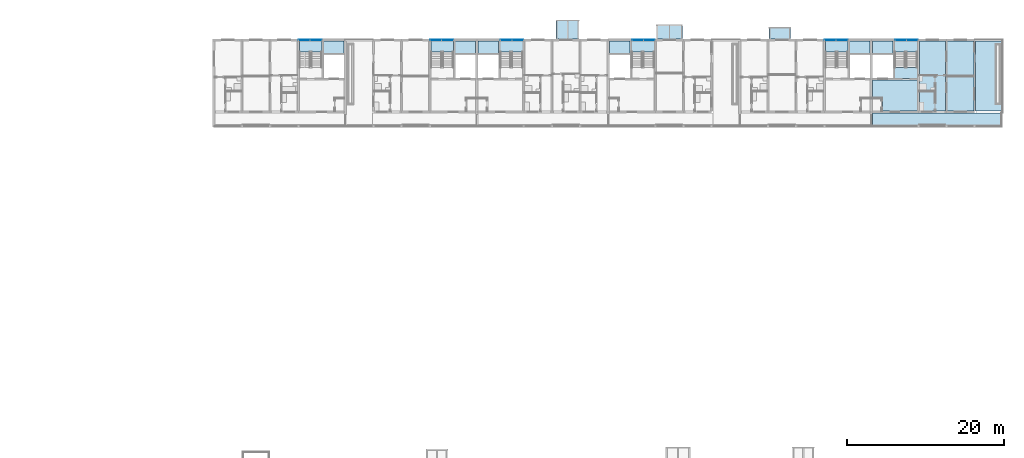
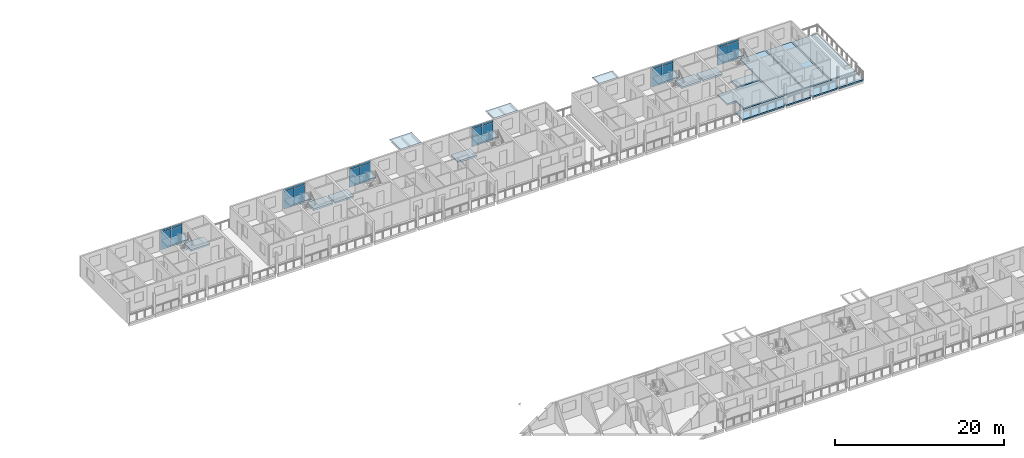
# One storey, part 28 of 94: 24 plates, 21 slabs, 12 elements without a shape of their own.
"""IFC4 building model written with IfcOpenShell, lengths in metres."""

from ifc_helpers import new_model, si_unit, direction, frame, origin, origin_2d, place, context, subcontext, project, spatial, polyline, rectangle, outline, extrude, material, layer, layer_set, type_object, element, aggregate, save


model = new_model("IFC4")

# Units and contexts
model_context = context("Model", 3, precision=1e-05, world=origin(), true_north=direction((0.0, 1.0)))
body_context = subcontext(model_context, "Body", "Model", "MODEL_VIEW")
ifc_project = project(units=[si_unit("LENGTHUNIT", "METRE"), si_unit("AREAUNIT", "SQUARE_METRE"), si_unit("VOLUMEUNIT", "CUBIC_METRE"), si_unit("PLANEANGLEUNIT", "RADIAN"), si_unit("MASSUNIT", "GRAM", prefix="KILO")], contexts=[model_context])

# Site, building, storey
site_placement = place(None, origin())
site = spatial("IfcSite", under=ifc_project, at=site_placement, CompositionType="ELEMENT")
building_placement = place(site_placement, origin())
building = spatial("IfcBuilding", under=site, at=building_placement, Name="Ridgestep Commons", CompositionType="ELEMENT")
storey_placement = place(building_placement, frame((0.0, 0.0, 21.0)))
storey = spatial("IfcBuildingStorey", under=building, at=storey_placement, Name="L07", CompositionType="ELEMENT", Elevation=21.0)

# Slab
ifc_material_1 = material(Name="Precast concrete C40/50", Category="concrete")
ifc_layer_1 = layer(ifc_material_1, 0.199951171875)
ifc_layer_set_1 = layer_set([ifc_layer_1], Name="Gallery slab 200")
slab_type_1 = type_object("IfcSlabType", Name="Gallery slab 200", PredefinedType="FLOOR", material=ifc_layer_set_1)
slab_1_placement = place(storey_placement, frame((0.0, 0.0, -0.199951171875)))
element("IfcSlab", 1, at=slab_1_placement, inside=storey, type_object=slab_type_1, Name="Gallery slab C6 L07", PredefinedType="FLOOR", context=body_context, shape_type="SweptSolid", body=[
    extrude(outline(polyline([(247.449951171875, 67.800048828125), (230.949951171875, 67.800048828125), (230.949951171875, 66.0), (236.675048828125, 66.0), (236.675048828125, 66.25), (236.925048828125, 66.25), (236.925048828125, 66.0), (240.27490234375, 66.0), (240.27490234375, 66.25), (240.52490234375, 66.25), (240.52490234375, 66.0), (243.875, 66.0), (243.875, 66.25), (244.125, 66.25), (244.125, 66.0), (247.449951171875, 66.0), (247.449951171875, 67.800048828125)])), origin(), (0.0, 0.0, 1.0), 0.199951171875),
])

# Curtain wall, plates
ifc_material_2 = material(Name="Aluminium 6063-T6 and glass", Category="aluminium")
curtain_wall_type = type_object("IfcCurtainWallType", Name="Curtain wall stair strip", PredefinedType="NOTDEFINED", material=ifc_material_2)
curtain_wall_1_placement = place(storey_placement, origin())
curtain_wall_1 = element("IfcCurtainWall", 2, at=curtain_wall_1_placement, inside=storey, type_object=curtain_wall_type, Name="Curtain wall C1C level 07", PredefinedType="NOTDEFINED")
ifc_material_3 = material(Name="Glass laminated 6/16/6 low-emissivity", Category="glass")
ifc_layer_2 = layer(ifc_material_3, 0.028076171875)
ifc_layer_set_2 = layer_set([ifc_layer_2], Name="Glazing panel 28")
plate_type_1 = type_object("IfcPlateType", Name="Glazing panel 28", PredefinedType="CURTAIN_PANEL", material=ifc_layer_set_2)
plate_1_placement = place(storey_placement, frame((158.371337890625, 77.080078125, 0.06005859375), z_axis=(0.0, 0.0, 1.0), x_axis=(1.0, 0.0, 0.0)))
plate_1 = element("IfcPlate", 3, at=plate_1_placement, type_object=plate_type_1, Name="CW1 panel 1.1", PredefinedType="CURTAIN_PANEL", context=body_context, shape_type="SweptSolid", body=[
    extrude(rectangle(XDim=1.422607421875, YDim=0.028076171875, at=origin_2d()), origin(), (0.0, 0.0, 1.0), 2.5),
])
plate_2_placement = place(storey_placement, frame((159.853759765625, 77.080078125, 0.06005859375), z_axis=(0.0, 0.0, 1.0), x_axis=(1.0, 0.0, 0.0)))
plate_2 = element("IfcPlate", 4, at=plate_2_placement, type_object=plate_type_1, Name="CW1 panel 2.1", PredefinedType="CURTAIN_PANEL", context=body_context, shape_type="SweptSolid", body=[
    extrude(rectangle(XDim=1.422607421875, YDim=0.028076171875, at=origin_2d()), origin(), (0.0, 0.0, 1.0), 2.5),
])

curtain_wall_2_placement = place(storey_placement, origin())
curtain_wall_2 = element("IfcCurtainWall", 5, at=curtain_wall_2_placement, inside=storey, type_object=curtain_wall_type, Name="Curtain wall C2C level 07", PredefinedType="NOTDEFINED")
plate_3_placement = place(storey_placement, frame((175.171142578125, 77.080078125, 0.06005859375), z_axis=(0.0, 0.0, 1.0), x_axis=(1.0, 0.0, 0.0)))
plate_3 = element("IfcPlate", 6, at=plate_3_placement, type_object=plate_type_1, Name="CW1 panel 1.1", PredefinedType="CURTAIN_PANEL", context=body_context, shape_type="SweptSolid", body=[
    extrude(rectangle(XDim=1.422607421875, YDim=0.028076171875, at=origin_2d()), origin(), (0.0, 0.0, 1.0), 2.5),
])
plate_4_placement = place(storey_placement, frame((176.65380859375, 77.080078125, 0.06005859375), z_axis=(0.0, 0.0, 1.0), x_axis=(1.0, 0.0, 0.0)))
plate_4 = element("IfcPlate", 7, at=plate_4_placement, type_object=plate_type_1, Name="CW1 panel 2.1", PredefinedType="CURTAIN_PANEL", context=body_context, shape_type="SweptSolid", body=[
    extrude(rectangle(XDim=1.422607421875, YDim=0.028076171875, at=origin_2d()), origin(), (0.0, 0.0, 1.0), 2.5),
])

curtain_wall_3_placement = place(storey_placement, origin())
curtain_wall_3 = element("IfcCurtainWall", 8, at=curtain_wall_3_placement, inside=storey, type_object=curtain_wall_type, Name="Curtain wall C3C level 07", PredefinedType="NOTDEFINED")
plate_5_placement = place(storey_placement, frame((184.146240234375, 77.080078125, 0.06005859375), z_axis=(0.0, 0.0, 1.0), x_axis=(1.0, 0.0, 0.0)))
plate_5 = element("IfcPlate", 9, at=plate_5_placement, type_object=plate_type_1, Name="CW1 panel 1.1", PredefinedType="CURTAIN_PANEL", context=body_context, shape_type="SweptSolid", body=[
    extrude(rectangle(XDim=1.422607421875, YDim=0.028076171875, at=origin_2d()), origin(), (0.0, 0.0, 1.0), 2.5),
])
plate_6_placement = place(storey_placement, frame((185.628662109375, 77.080078125, 0.06005859375), z_axis=(0.0, 0.0, 1.0), x_axis=(1.0, 0.0, 0.0)))
plate_6 = element("IfcPlate", 10, at=plate_6_placement, type_object=plate_type_1, Name="CW1 panel 2.1", PredefinedType="CURTAIN_PANEL", context=body_context, shape_type="SweptSolid", body=[
    extrude(rectangle(XDim=1.422607421875, YDim=0.028076171875, at=origin_2d()), origin(), (0.0, 0.0, 1.0), 2.5),
])

curtain_wall_4_placement = place(storey_placement, origin())
curtain_wall_4 = element("IfcCurtainWall", 11, at=curtain_wall_4_placement, inside=storey, type_object=curtain_wall_type, Name="Curtain wall C4C level 07", PredefinedType="NOTDEFINED")
plate_7_placement = place(storey_placement, frame((200.9462890625, 77.080078125, 0.06005859375), z_axis=(0.0, 0.0, 1.0), x_axis=(1.0, 0.0, 0.0)))
plate_7 = element("IfcPlate", 12, at=plate_7_placement, type_object=plate_type_1, Name="CW1 panel 1.1", PredefinedType="CURTAIN_PANEL", context=body_context, shape_type="SweptSolid", body=[
    extrude(rectangle(XDim=1.422607421875, YDim=0.028076171875, at=origin_2d()), origin(), (0.0, 0.0, 1.0), 2.5),
])
plate_8_placement = place(storey_placement, frame((202.4287109375, 77.080078125, 0.06005859375), z_axis=(0.0, 0.0, 1.0), x_axis=(1.0, 0.0, 0.0)))
plate_8 = element("IfcPlate", 13, at=plate_8_placement, type_object=plate_type_1, Name="CW1 panel 2.1", PredefinedType="CURTAIN_PANEL", context=body_context, shape_type="SweptSolid", body=[
    extrude(rectangle(XDim=1.422607421875, YDim=0.028076171875, at=origin_2d()), origin(), (0.0, 0.0, 1.0), 2.5),
])

curtain_wall_5_placement = place(storey_placement, origin())
curtain_wall_5 = element("IfcCurtainWall", 14, at=curtain_wall_5_placement, inside=storey, type_object=curtain_wall_type, Name="Curtain wall C5C level 07", PredefinedType="NOTDEFINED")
plate_9_placement = place(storey_placement, frame((225.5712890625, 77.080078125, 0.06005859375), z_axis=(0.0, 0.0, 1.0), x_axis=(1.0, 0.0, 0.0)))
plate_9 = element("IfcPlate", 15, at=plate_9_placement, type_object=plate_type_1, Name="CW1 panel 1.1", PredefinedType="CURTAIN_PANEL", context=body_context, shape_type="SweptSolid", body=[
    extrude(rectangle(XDim=1.422607421875, YDim=0.028076171875, at=origin_2d()), origin(), (0.0, 0.0, 1.0), 2.5),
])
plate_10_placement = place(storey_placement, frame((227.0537109375, 77.080078125, 0.06005859375), z_axis=(0.0, 0.0, 1.0), x_axis=(1.0, 0.0, 0.0)))
plate_10 = element("IfcPlate", 16, at=plate_10_placement, type_object=plate_type_1, Name="CW1 panel 2.1", PredefinedType="CURTAIN_PANEL", context=body_context, shape_type="SweptSolid", body=[
    extrude(rectangle(XDim=1.422607421875, YDim=0.028076171875, at=origin_2d()), origin(), (0.0, 0.0, 1.0), 2.5),
])

curtain_wall_6_placement = place(storey_placement, origin())
curtain_wall_6 = element("IfcCurtainWall", 17, at=curtain_wall_6_placement, inside=storey, type_object=curtain_wall_type, Name="Curtain wall C6C level 07", PredefinedType="NOTDEFINED")
plate_11_placement = place(storey_placement, frame((234.546142578125, 77.080078125, 0.06005859375), z_axis=(0.0, 0.0, 1.0), x_axis=(1.0, 0.0, 0.0)))
plate_11 = element("IfcPlate", 18, at=plate_11_placement, type_object=plate_type_1, Name="CW1 panel 1.1", PredefinedType="CURTAIN_PANEL", context=body_context, shape_type="SweptSolid", body=[
    extrude(rectangle(XDim=1.422607421875, YDim=0.028076171875, at=origin_2d()), origin(), (0.0, 0.0, 1.0), 2.5),
])
plate_12_placement = place(storey_placement, frame((236.02880859375, 77.080078125, 0.06005859375), z_axis=(0.0, 0.0, 1.0), x_axis=(1.0, 0.0, 0.0)))
plate_12 = element("IfcPlate", 19, at=plate_12_placement, type_object=plate_type_1, Name="CW1 panel 2.1", PredefinedType="CURTAIN_PANEL", context=body_context, shape_type="SweptSolid", body=[
    extrude(rectangle(XDim=1.422607421875, YDim=0.028076171875, at=origin_2d()), origin(), (0.0, 0.0, 1.0), 2.5),
])

# Slabs
ifc_material_4 = material(Name="Precast concrete C50/60", Category="concrete")
ifc_layer_3 = layer(ifc_material_4, 0.199951171875)
ifc_layer_set_3 = layer_set([ifc_layer_3], Name="Hollow-core plank 200")
slab_type_2 = type_object("IfcSlabType", Name="Hollow-core plank 200", PredefinedType="FLOOR", material=ifc_layer_set_3)
slab_2_placement = place(storey_placement, frame((0.0, 0.0, -0.199951171875)))
element("IfcSlab", 20, at=slab_2_placement, inside=storey, type_object=slab_type_2, Name="Floor plank C6T3 L07", PredefinedType="FLOOR", context=body_context, shape_type="SweptSolid", body=[
    extrude(outline(polyline([(240.300048828125, 68.0), (240.300048828125, 77.0), (236.925048828125, 77.0), (236.925048828125, 68.0), (240.300048828125, 68.0)])), origin(), (0.0, 0.0, 1.0), 0.199951171875),
])
slab_3_placement = place(storey_placement, frame((0.0, 0.0, -0.199951171875)))
element("IfcSlab", 21, at=slab_3_placement, inside=storey, type_object=slab_type_2, Name="Floor plank C6T2 L07", PredefinedType="FLOOR", context=body_context, shape_type="SweptSolid", body=[
    extrude(outline(polyline([(243.89990234375, 68.0), (243.89990234375, 77.0), (240.5, 77.0), (240.5, 68.0), (243.89990234375, 68.0)])), origin(), (0.0, 0.0, 1.0), 0.199951171875),
])
ifc_material_5 = material(Name="Precast concrete C50/60", Category="concrete")
ifc_layer_4 = layer(ifc_material_5, 0.25)
ifc_layer_set_4 = layer_set([ifc_layer_4], Name="Hollow-core plank 250")
slab_type_3 = type_object("IfcSlabType", Name="Hollow-core plank 250", PredefinedType="FLOOR", material=ifc_layer_set_4)
slab_4_placement = place(storey_placement, frame((0.0, 0.0, -0.25)))
element("IfcSlab", 22, at=slab_4_placement, inside=storey, type_object=slab_type_3, Name="Floor plank C1C L07", PredefinedType="FLOOR", context=body_context, shape_type="SweptSolid", body=[
    extrude(outline(polyline([(163.449951171875, 75.39990234375), (163.449951171875, 77.0), (160.824951171875, 77.0), (160.824951171875, 75.39990234375), (163.449951171875, 75.39990234375)])), origin(), (0.0, 0.0, 1.0), 0.25),
])
slab_5_placement = place(storey_placement, frame((0.0, 0.0, -0.25)))
element("IfcSlab", 23, at=slab_5_placement, inside=storey, type_object=slab_type_3, Name="Floor plank C2C L07", PredefinedType="FLOOR", context=body_context, shape_type="SweptSolid", body=[
    extrude(outline(polyline([(180.25, 75.39990234375), (180.25, 77.0), (177.625, 77.0), (177.625, 75.39990234375), (180.25, 75.39990234375)])), origin(), (0.0, 0.0, 1.0), 0.25),
])
slab_6_placement = place(storey_placement, frame((0.0, 0.0, -0.25)))
element("IfcSlab", 24, at=slab_6_placement, inside=storey, type_object=slab_type_3, Name="Floor plank C3C L07", PredefinedType="FLOOR", context=body_context, shape_type="SweptSolid", body=[
    extrude(outline(polyline([(183.175048828125, 77.0), (180.550048828125, 77.0), (180.550048828125, 75.39990234375), (183.175048828125, 75.39990234375), (183.175048828125, 77.0)])), origin(), (0.0, 0.0, 1.0), 0.25),
])
slab_7_placement = place(storey_placement, frame((0.0, 0.0, -0.25)))
element("IfcSlab", 25, at=slab_7_placement, inside=storey, type_object=slab_type_3, Name="Floor plank C4C L07", PredefinedType="FLOOR", context=body_context, shape_type="SweptSolid", body=[
    extrude(outline(polyline([(199.97509765625, 77.0), (197.35009765625, 77.0), (197.35009765625, 75.39990234375), (199.97509765625, 75.39990234375), (199.97509765625, 77.0)])), origin(), (0.0, 0.0, 1.0), 0.25),
])
slab_8_placement = place(storey_placement, frame((0.0, 0.0, -0.25)))
element("IfcSlab", 26, at=slab_8_placement, inside=storey, type_object=slab_type_3, Name="Floor plank C5C L07", PredefinedType="FLOOR", context=body_context, shape_type="SweptSolid", body=[
    extrude(outline(polyline([(230.64990234375, 75.39990234375), (230.64990234375, 77.0), (228.02490234375, 77.0), (228.02490234375, 75.39990234375), (230.64990234375, 75.39990234375)])), origin(), (0.0, 0.0, 1.0), 0.25),
])
slab_9_placement = place(storey_placement, frame((0.0, 0.0, -0.25)))
element("IfcSlab", 27, at=slab_9_placement, inside=storey, type_object=slab_type_3, Name="Floor plank C6C L07", PredefinedType="FLOOR", context=body_context, shape_type="SweptSolid", body=[
    extrude(outline(polyline([(232.199951171875, 68.0), (236.675048828125, 68.0), (236.675048828125, 72.0), (230.949951171875, 72.0), (230.949951171875, 69.719970703125), (232.080078125, 69.719970703125), (232.199951171875, 69.719970703125), (232.199951171875, 68.0)])), origin(), (0.0, 0.0, 1.0), 0.25),
])
slab_10_placement = place(storey_placement, frame((0.0, 0.0, -0.25)))
element("IfcSlab", 28, at=slab_10_placement, inside=storey, type_object=slab_type_3, Name="Floor plank C6C L07", PredefinedType="FLOOR", context=body_context, shape_type="SweptSolid", body=[
    extrude(outline(polyline([(233.574951171875, 77.0), (230.949951171875, 77.0), (230.949951171875, 75.39990234375), (233.574951171875, 75.39990234375), (233.574951171875, 77.0)])), origin(), (0.0, 0.0, 1.0), 0.25),
])
slab_11_placement = place(storey_placement, frame((0.0, 0.0, -0.25)))
element("IfcSlab", 29, at=slab_11_placement, inside=storey, type_object=slab_type_3, Name="Floor plank C6C L07", PredefinedType="FLOOR", context=body_context, shape_type="SweptSolid", body=[
    extrude(outline(polyline([(236.675048828125, 72.199951171875), (236.675048828125, 73.60009765625), (233.77490234375, 73.60009765625), (233.77490234375, 72.199951171875), (236.675048828125, 72.199951171875)])), origin(), (0.0, 0.0, 1.0), 0.25),
])
ifc_material_6 = material(Name="Precast concrete C50/60", Category="concrete")
ifc_layer_5 = layer(ifc_material_6, 0.25)
ifc_layer_set_5 = layer_set([ifc_layer_5], Name="Roof slab 250")
slab_type_4 = type_object("IfcSlabType", Name="Roof slab 250", PredefinedType="ROOF", material=ifc_layer_set_5)
slab_12_placement = place(storey_placement, frame((0.0, 0.0, -0.25)))
element("IfcSlab", 30, at=slab_12_placement, inside=storey, type_object=slab_type_4, Name="Terrace slab C6T1", PredefinedType="ROOF", context=body_context, shape_type="SweptSolid", body=[
    extrude(outline(polyline([(247.449951171875, 68.0), (247.449951171875, 77.0), (244.10009765625, 77.0), (244.10009765625, 68.0), (247.449951171875, 68.0)])), origin(), (0.0, 0.0, 1.0), 0.25),
])

# Plate
ifc_material_7 = material(Name="Aluminium 6063-T6 and mineral wool", Category="aluminium")
ifc_layer_6 = layer(ifc_material_7, 0.0400390625)
ifc_layer_set_6 = layer_set([ifc_layer_6], Name="Spandrel panel 40")
plate_type_2 = type_object("IfcPlateType", Name="Spandrel panel 40", PredefinedType="CURTAIN_PANEL", material=ifc_layer_set_6)
plate_13_placement = place(storey_placement, frame((158.371337890625, 77.080078125, 2.6201171875), z_axis=(0.0, 0.0, 1.0), x_axis=(1.0, 0.0, 0.0)))
plate_13 = element("IfcPlate", 31, at=plate_13_placement, type_object=plate_type_2, Name="CW1 panel 1.2", PredefinedType="CURTAIN_PANEL", context=body_context, shape_type="SweptSolid", body=[
    extrude(rectangle(XDim=1.422607421875, YDim=0.0400390625, at=origin_2d()), origin(), (0.0, 0.0, 1.0), 0.320068359375),
])

plate_14_placement = place(storey_placement, frame((159.853759765625, 77.080078125, 2.6201171875), z_axis=(0.0, 0.0, 1.0), x_axis=(1.0, 0.0, 0.0)))
plate_14 = element("IfcPlate", 32, at=plate_14_placement, type_object=plate_type_2, Name="CW1 panel 2.2", PredefinedType="CURTAIN_PANEL", context=body_context, shape_type="SweptSolid", body=[
    extrude(rectangle(XDim=1.422607421875, YDim=0.0400390625, at=origin_2d()), origin(), (0.0, 0.0, 1.0), 0.320068359375),
])

aggregate(curtain_wall_1, [plate_1, plate_13, plate_2, plate_14])

plate_15_placement = place(storey_placement, frame((175.171142578125, 77.080078125, 2.6201171875), z_axis=(0.0, 0.0, 1.0), x_axis=(1.0, 0.0, 0.0)))
plate_15 = element("IfcPlate", 33, at=plate_15_placement, type_object=plate_type_2, Name="CW1 panel 1.2", PredefinedType="CURTAIN_PANEL", context=body_context, shape_type="SweptSolid", body=[
    extrude(rectangle(XDim=1.422607421875, YDim=0.0400390625, at=origin_2d()), origin(), (0.0, 0.0, 1.0), 0.320068359375),
])

plate_16_placement = place(storey_placement, frame((176.65380859375, 77.080078125, 2.6201171875), z_axis=(0.0, 0.0, 1.0), x_axis=(1.0, 0.0, 0.0)))
plate_16 = element("IfcPlate", 34, at=plate_16_placement, type_object=plate_type_2, Name="CW1 panel 2.2", PredefinedType="CURTAIN_PANEL", context=body_context, shape_type="SweptSolid", body=[
    extrude(rectangle(XDim=1.422607421875, YDim=0.0400390625, at=origin_2d()), origin(), (0.0, 0.0, 1.0), 0.320068359375),
])

aggregate(curtain_wall_2, [plate_3, plate_15, plate_4, plate_16])

plate_17_placement = place(storey_placement, frame((184.146240234375, 77.080078125, 2.6201171875), z_axis=(0.0, 0.0, 1.0), x_axis=(1.0, 0.0, 0.0)))
plate_17 = element("IfcPlate", 35, at=plate_17_placement, type_object=plate_type_2, Name="CW1 panel 1.2", PredefinedType="CURTAIN_PANEL", context=body_context, shape_type="SweptSolid", body=[
    extrude(rectangle(XDim=1.422607421875, YDim=0.0400390625, at=origin_2d()), origin(), (0.0, 0.0, 1.0), 0.320068359375),
])

plate_18_placement = place(storey_placement, frame((185.628662109375, 77.080078125, 2.6201171875), z_axis=(0.0, 0.0, 1.0), x_axis=(1.0, 0.0, 0.0)))
plate_18 = element("IfcPlate", 36, at=plate_18_placement, type_object=plate_type_2, Name="CW1 panel 2.2", PredefinedType="CURTAIN_PANEL", context=body_context, shape_type="SweptSolid", body=[
    extrude(rectangle(XDim=1.422607421875, YDim=0.0400390625, at=origin_2d()), origin(), (0.0, 0.0, 1.0), 0.320068359375),
])

aggregate(curtain_wall_3, [plate_5, plate_17, plate_6, plate_18])

plate_19_placement = place(storey_placement, frame((200.9462890625, 77.080078125, 2.6201171875), z_axis=(0.0, 0.0, 1.0), x_axis=(1.0, 0.0, 0.0)))
plate_19 = element("IfcPlate", 37, at=plate_19_placement, type_object=plate_type_2, Name="CW1 panel 1.2", PredefinedType="CURTAIN_PANEL", context=body_context, shape_type="SweptSolid", body=[
    extrude(rectangle(XDim=1.422607421875, YDim=0.0400390625, at=origin_2d()), origin(), (0.0, 0.0, 1.0), 0.320068359375),
])

plate_20_placement = place(storey_placement, frame((202.4287109375, 77.080078125, 2.6201171875), z_axis=(0.0, 0.0, 1.0), x_axis=(1.0, 0.0, 0.0)))
plate_20 = element("IfcPlate", 38, at=plate_20_placement, type_object=plate_type_2, Name="CW1 panel 2.2", PredefinedType="CURTAIN_PANEL", context=body_context, shape_type="SweptSolid", body=[
    extrude(rectangle(XDim=1.422607421875, YDim=0.0400390625, at=origin_2d()), origin(), (0.0, 0.0, 1.0), 0.320068359375),
])

aggregate(curtain_wall_4, [plate_7, plate_19, plate_8, plate_20])

plate_21_placement = place(storey_placement, frame((225.5712890625, 77.080078125, 2.6201171875), z_axis=(0.0, 0.0, 1.0), x_axis=(1.0, 0.0, 0.0)))
plate_21 = element("IfcPlate", 39, at=plate_21_placement, type_object=plate_type_2, Name="CW1 panel 1.2", PredefinedType="CURTAIN_PANEL", context=body_context, shape_type="SweptSolid", body=[
    extrude(rectangle(XDim=1.422607421875, YDim=0.0400390625, at=origin_2d()), origin(), (0.0, 0.0, 1.0), 0.320068359375),
])

plate_22_placement = place(storey_placement, frame((227.0537109375, 77.080078125, 2.6201171875), z_axis=(0.0, 0.0, 1.0), x_axis=(1.0, 0.0, 0.0)))
plate_22 = element("IfcPlate", 40, at=plate_22_placement, type_object=plate_type_2, Name="CW1 panel 2.2", PredefinedType="CURTAIN_PANEL", context=body_context, shape_type="SweptSolid", body=[
    extrude(rectangle(XDim=1.422607421875, YDim=0.0400390625, at=origin_2d()), origin(), (0.0, 0.0, 1.0), 0.320068359375),
])

aggregate(curtain_wall_5, [plate_9, plate_21, plate_10, plate_22])

plate_23_placement = place(storey_placement, frame((234.546142578125, 77.080078125, 2.6201171875), z_axis=(0.0, 0.0, 1.0), x_axis=(1.0, 0.0, 0.0)))
plate_23 = element("IfcPlate", 41, at=plate_23_placement, type_object=plate_type_2, Name="CW1 panel 1.2", PredefinedType="CURTAIN_PANEL", context=body_context, shape_type="SweptSolid", body=[
    extrude(rectangle(XDim=1.422607421875, YDim=0.0400390625, at=origin_2d()), origin(), (0.0, 0.0, 1.0), 0.320068359375),
])

plate_24_placement = place(storey_placement, frame((236.02880859375, 77.080078125, 2.6201171875), z_axis=(0.0, 0.0, 1.0), x_axis=(1.0, 0.0, 0.0)))
plate_24 = element("IfcPlate", 42, at=plate_24_placement, type_object=plate_type_2, Name="CW1 panel 2.2", PredefinedType="CURTAIN_PANEL", context=body_context, shape_type="SweptSolid", body=[
    extrude(rectangle(XDim=1.422607421875, YDim=0.0400390625, at=origin_2d()), origin(), (0.0, 0.0, 1.0), 0.320068359375),
])

aggregate(curtain_wall_6, [plate_11, plate_23, plate_12, plate_24])

# Stair, slab
ifc_material_8 = material(Name="Precast concrete C40/50", Category="concrete")
stair_type = type_object("IfcStairType", Name="Escape stair 1400", PredefinedType="HALF_TURN_STAIR", material=ifc_material_8)
stair_1_placement = place(storey_placement, origin())
stair_1 = element("IfcStair", 43, at=stair_1_placement, inside=storey, type_object=stair_type, Name="L07 Escape stair C1C", PredefinedType="HALF_TURN_STAIR")
ifc_material_9 = material(Name="Precast concrete C40/50", Category="concrete")
ifc_layer_7 = layer(ifc_material_9, 0.199951171875)
ifc_layer_set_7 = layer_set([ifc_layer_7], Name="Stair landing 200")
slab_type_5 = type_object("IfcSlabType", Name="Stair landing 200", PredefinedType="LANDING", material=ifc_layer_set_7)
slab_13_placement = place(storey_placement, frame((0.0, 0.0, 1.300048828125)))
slab_13 = element("IfcSlab", 44, at=slab_13_placement, type_object=slab_type_5, Name="C1C landing 1", PredefinedType="LANDING", context=body_context, shape_type="SweptSolid", body=[
    extrude(outline(polyline([(160.625, 75.56005859375), (160.625, 77.0), (157.72509765625, 77.0), (157.72509765625, 75.56005859375), (160.625, 75.56005859375)])), origin(), (0.0, 0.0, 1.0), 0.199951171875),
])
aggregate(stair_1, [slab_13])

stair_2_placement = place(storey_placement, origin())
stair_2 = element("IfcStair", 45, at=stair_2_placement, inside=storey, type_object=stair_type, Name="L07 Escape stair C2C", PredefinedType="HALF_TURN_STAIR")
slab_14_placement = place(storey_placement, frame((0.0, 0.0, 1.300048828125)))
slab_14 = element("IfcSlab", 46, at=slab_14_placement, type_object=slab_type_5, Name="C2C landing 1", PredefinedType="LANDING", context=body_context, shape_type="SweptSolid", body=[
    extrude(outline(polyline([(177.425048828125, 75.56005859375), (177.425048828125, 77.0), (174.52490234375, 77.0), (174.52490234375, 75.56005859375), (177.425048828125, 75.56005859375)])), origin(), (0.0, 0.0, 1.0), 0.199951171875),
])
aggregate(stair_2, [slab_14])

stair_3_placement = place(storey_placement, origin())
stair_3 = element("IfcStair", 47, at=stair_3_placement, inside=storey, type_object=stair_type, Name="L07 Escape stair C3C", PredefinedType="HALF_TURN_STAIR")
slab_15_placement = place(storey_placement, frame((0.0, 0.0, 1.300048828125)))
slab_15 = element("IfcSlab", 48, at=slab_15_placement, type_object=slab_type_5, Name="C3C landing 1", PredefinedType="LANDING", context=body_context, shape_type="SweptSolid", body=[
    extrude(outline(polyline([(186.27490234375, 75.56005859375), (186.27490234375, 77.0), (183.375, 77.0), (183.375, 75.56005859375), (186.27490234375, 75.56005859375)])), origin(), (0.0, 0.0, 1.0), 0.199951171875),
])
aggregate(stair_3, [slab_15])

stair_4_placement = place(storey_placement, origin())
stair_4 = element("IfcStair", 49, at=stair_4_placement, inside=storey, type_object=stair_type, Name="L07 Escape stair C4C", PredefinedType="HALF_TURN_STAIR")
slab_16_placement = place(storey_placement, frame((0.0, 0.0, 1.300048828125)))
slab_16 = element("IfcSlab", 50, at=slab_16_placement, type_object=slab_type_5, Name="C4C landing 1", PredefinedType="LANDING", context=body_context, shape_type="SweptSolid", body=[
    extrude(outline(polyline([(203.074951171875, 75.56005859375), (203.074951171875, 77.0), (200.175048828125, 77.0), (200.175048828125, 75.56005859375), (203.074951171875, 75.56005859375)])), origin(), (0.0, 0.0, 1.0), 0.199951171875),
])
aggregate(stair_4, [slab_16])

stair_5_placement = place(storey_placement, origin())
stair_5 = element("IfcStair", 51, at=stair_5_placement, inside=storey, type_object=stair_type, Name="L07 Escape stair C5C", PredefinedType="HALF_TURN_STAIR")
slab_17_placement = place(storey_placement, frame((0.0, 0.0, 1.300048828125)))
slab_17 = element("IfcSlab", 52, at=slab_17_placement, type_object=slab_type_5, Name="C5C landing 1", PredefinedType="LANDING", context=body_context, shape_type="SweptSolid", body=[
    extrude(outline(polyline([(227.824951171875, 75.56005859375), (227.824951171875, 77.0), (224.925048828125, 77.0), (224.925048828125, 75.56005859375), (227.824951171875, 75.56005859375)])), origin(), (0.0, 0.0, 1.0), 0.199951171875),
])
aggregate(stair_5, [slab_17])

stair_6_placement = place(storey_placement, origin())
stair_6 = element("IfcStair", 53, at=stair_6_placement, inside=storey, type_object=stair_type, Name="L07 Escape stair C6C", PredefinedType="HALF_TURN_STAIR")
slab_18_placement = place(storey_placement, frame((0.0, 0.0, 1.300048828125)))
slab_18 = element("IfcSlab", 54, at=slab_18_placement, type_object=slab_type_5, Name="C6C landing 1", PredefinedType="LANDING", context=body_context, shape_type="SweptSolid", body=[
    extrude(outline(polyline([(236.675048828125, 75.56005859375), (236.675048828125, 77.0), (233.77490234375, 77.0), (233.77490234375, 75.56005859375), (236.675048828125, 75.56005859375)])), origin(), (0.0, 0.0, 1.0), 0.199951171875),
])
aggregate(stair_6, [slab_18])

# Slabs
ifc_material_10 = material(Name="Weathering steel S355J2W", Category="steel")
ifc_layer_8 = layer(ifc_material_10, 0.010009765625)
ifc_layer_set_8 = layer_set([ifc_layer_8], Name="Tray 2.8 x 1.5")
slab_type_6 = type_object("IfcSlabType", Name="Tray 2.8 x 1.5", PredefinedType="FLOOR", material=ifc_layer_set_8)
slab_19_placement = place(storey_placement, frame((0.0, 0.0, 2.989990234375)))
element("IfcSlab", 55, at=slab_19_placement, inside=storey, type_object=slab_type_6, Name="Tray deck C5T2-08", PredefinedType="FLOOR", context=body_context, shape_type="SweptSolid", body=[
    extrude(outline(polyline([(217.72998046875, 77.25), (220.469970703125, 77.25), (220.469970703125, 78.75), (217.72998046875, 78.75), (217.72998046875, 77.25)])), origin(), (0.0, 0.0, 1.0), 0.010009765625),
])
ifc_material_11 = material(Name="Weathering steel S355J2W", Category="steel")
ifc_layer_9 = layer(ifc_material_11, 0.010009765625)
ifc_layer_set_9 = layer_set([ifc_layer_9], Name="Tray 3.0 x 2.4")
slab_type_7 = type_object("IfcSlabType", Name="Tray 3.0 x 2.4", PredefinedType="FLOOR", material=ifc_layer_set_9)
slab_20_placement = place(storey_placement, frame((0.0, 0.0, 2.989990234375)))
element("IfcSlab", 56, at=slab_20_placement, inside=storey, type_object=slab_type_7, Name="Tray deck C3T2-08", PredefinedType="FLOOR", context=body_context, shape_type="SweptSolid", body=[
    extrude(outline(polyline([(190.530029296875, 77.25), (193.469970703125, 77.25), (193.469970703125, 79.64990234375), (190.530029296875, 79.64990234375), (190.530029296875, 77.25)])), origin(), (0.0, 0.0, 1.0), 0.010009765625),
])
ifc_material_12 = material(Name="Weathering steel S355J2W", Category="steel")
ifc_layer_10 = layer(ifc_material_12, 0.010009765625)
ifc_layer_set_10 = layer_set([ifc_layer_10], Name="Tray 3.4 x 1.8")
slab_type_8 = type_object("IfcSlabType", Name="Tray 3.4 x 1.8", PredefinedType="FLOOR", material=ifc_layer_set_10)
slab_21_placement = place(storey_placement, frame((0.0, 0.0, 2.989990234375)))
element("IfcSlab", 57, at=slab_21_placement, inside=storey, type_object=slab_type_8, Name="Tray deck C4T3-08", PredefinedType="FLOOR", context=body_context, shape_type="SweptSolid", body=[
    extrude(outline(polyline([(203.330078125, 77.25), (206.669921875, 77.25), (206.669921875, 79.050048828125), (203.330078125, 79.050048828125), (203.330078125, 77.25)])), origin(), (0.0, 0.0, 1.0), 0.010009765625),
])

save(model, "model.ifc")
